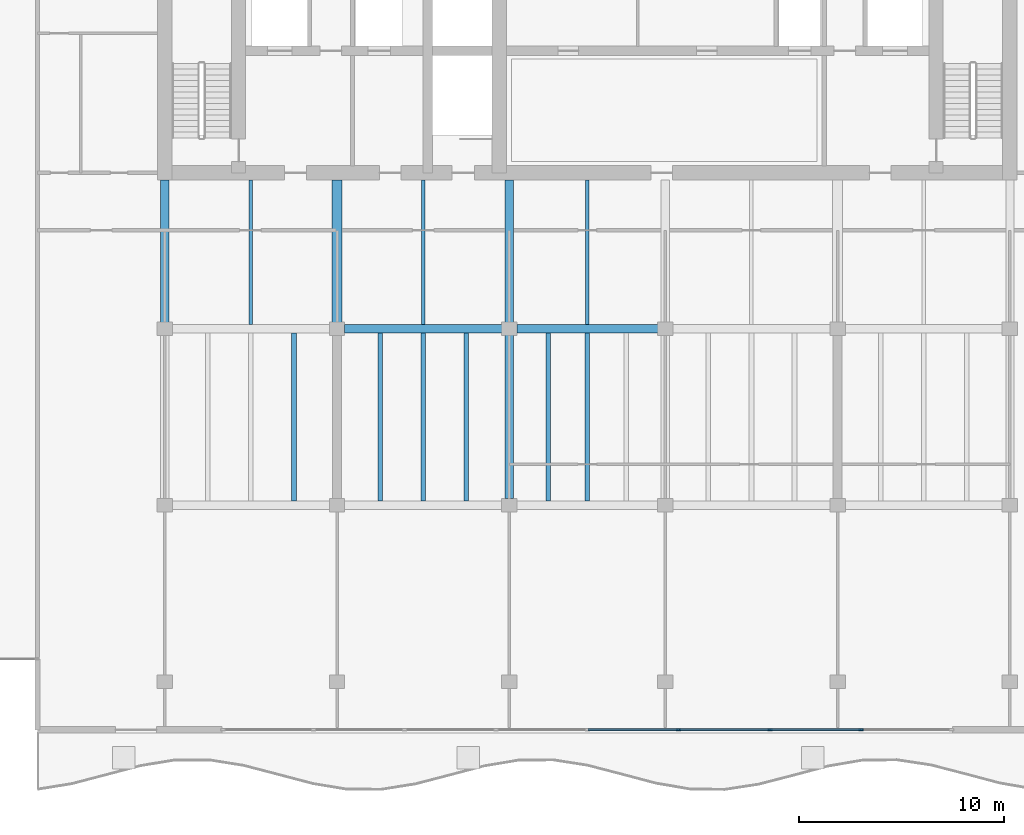
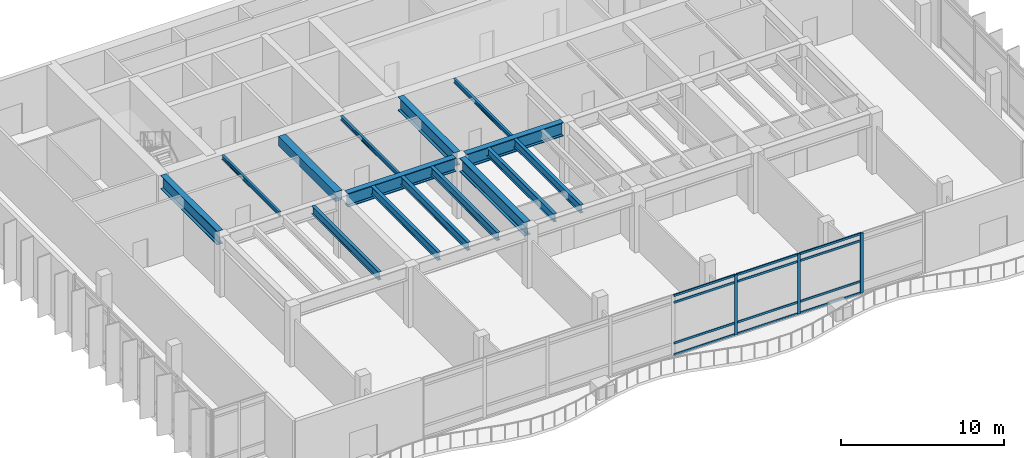
# One storey, part 3 of 14: 15 beams, 15 members, 1 element without a shape of its own.
"""IFC4 building model written with IfcOpenShell, lengths in metres."""

from ifc_helpers import new_model, si_unit, direction, frame, origin, origin_2d, place, context, subcontext, project, spatial, rectangle, i_section, extrude, material, layer, layer_set, material_profile, profile_set, type_object, element, aggregate, save


model = new_model("IFC4")

# Units and contexts
model_context = context("Model", 3, precision=1e-05, world=origin(), true_north=direction((0.0, 1.0)))
body_context = subcontext(model_context, "Body", "Model", "MODEL_VIEW")
ifc_project = project(units=[si_unit("LENGTHUNIT", "METRE"), si_unit("AREAUNIT", "SQUARE_METRE"), si_unit("VOLUMEUNIT", "CUBIC_METRE"), si_unit("PLANEANGLEUNIT", "RADIAN"), si_unit("MASSUNIT", "GRAM", prefix="KILO")], contexts=[model_context])

# Site, building, storey
site_placement = place(None, origin())
site = spatial("IfcSite", under=ifc_project, at=site_placement, CompositionType="ELEMENT")
building_placement = place(site_placement, origin())
building = spatial("IfcBuilding", under=site, at=building_placement, Name="Caelmar Bay Residences", CompositionType="ELEMENT")
storey_placement = place(building_placement, frame((0.0, 0.0, 269.39990234375)))
storey = spatial("IfcBuildingStorey", under=building, at=storey_placement, Name="L76", CompositionType="ELEMENT", Elevation=269.39990234375)

# Beams
ifc_material_1 = material(Name="Steel ASTM A992 Grade 50", Category="steel")
ifc_material_profile_1 = material_profile(ifc_material_1, i_section(OverallWidth=0.404052734375, OverallDepth=1.02099609375, WebThickness=0.025390625, FlangeThickness=0.0458984375, FilletRadius=0.02294921875, at=origin_2d()), Name="W40X324")
ifc_profile_set_1 = profile_set([ifc_material_profile_1], Name="Steel ASTM A992 Grade 50")
beam_type_1 = type_object("IfcBeamType", Name="BM-GRD-W40X324", PredefinedType="BEAM", material=ifc_profile_set_1)
beam_1_placement = place(storey_placement, frame((27.06494140625, 29.39990234375, 3.989501953125), z_axis=(1.0, 0.0, 0.0), x_axis=(0.0, 1.0, 0.0)))
element("IfcBeam", 1, at=beam_1_placement, inside=storey, type_object=beam_type_1, Name="L76 East-West Girder Y=29.40 (26.7-35.1)", PredefinedType="BEAM", context=body_context, shape_type="SweptSolid", body=[
    extrude(i_section(OverallWidth=0.404052734375, OverallDepth=1.02099609375, WebThickness=0.025390625, FlangeThickness=0.0458984375, FilletRadius=0.02294921875, at=origin_2d()), origin(), (0.0, 0.0, 1.0), 7.670166015625),
])
beam_2_placement = place(storey_placement, frame((35.465087890625, 29.39990234375, 3.989501953125), z_axis=(1.0, 0.0, 0.0), x_axis=(0.0, 1.0, 0.0)))
element("IfcBeam", 2, at=beam_2_placement, inside=storey, type_object=beam_type_1, Name="L76 East-West Girder Y=29.40 (35.1-42.7)", PredefinedType="BEAM", context=body_context, shape_type="SweptSolid", body=[
    extrude(i_section(OverallWidth=0.404052734375, OverallDepth=1.02099609375, WebThickness=0.025390625, FlangeThickness=0.0458984375, FilletRadius=0.02294921875, at=origin_2d()), origin(), (0.0, 0.0, 1.0), 6.869873046875),
])
for number, where, z_axis, x_axis, name in (
    (3, (18.300048828125, 29.715087890625, 3.989501953125), (0.0, 1.0, 0.0), (-1.0, 0.0, 0.0), "L76 Core Tie Girder X=18.30"),
    (4, (35.10009765625, 29.715087890625, 3.989501953125), (0.0, 1.0, 0.0), (-1.0, 0.0, 0.0), "L76 Core Tie Girder X=35.10"),
):
    element("IfcBeam", number, at=place(storey_placement, frame(where, z_axis=z_axis, x_axis=x_axis)), inside=storey, type_object=beam_type_1, Name=name, PredefinedType="BEAM", context=body_context, shape_type="SweptSolid", body=[
        extrude(i_section(OverallWidth=0.404052734375, OverallDepth=1.02099609375, WebThickness=0.025390625, FlangeThickness=0.0458984375, FilletRadius=0.02294921875, at=origin_2d()), origin(), (0.0, 0.0, 1.0), 6.934814453125),
    ])
beam_3_placement = place(storey_placement, frame((35.10009765625, 21.114990234375, 3.989501953125), z_axis=(0.0, 1.0, 0.0), x_axis=(-1.0, 0.0, 0.0)))
element("IfcBeam", 5, at=beam_3_placement, inside=storey, type_object=beam_type_1, Name="L76 North-South Girder X=35.10 (20.8-29.4)", PredefinedType="BEAM", context=body_context, shape_type="SweptSolid", body=[
    extrude(i_section(OverallWidth=0.404052734375, OverallDepth=1.02099609375, WebThickness=0.025390625, FlangeThickness=0.0458984375, FilletRadius=0.02294921875, at=origin_2d()), origin(), (0.0, 0.0, 1.0), 7.969970703125),
])
ifc_material_profile_2 = material_profile(ifc_material_1, i_section(OverallWidth=0.1650390625, OverallDepth=0.31005859375, WebThickness=0.005859375, FlangeThickness=0.009765625, FilletRadius=0.007568359375, at=origin_2d()), Name="W12X26")
ifc_profile_set_2 = profile_set([ifc_material_profile_2], Name="Steel ASTM A992 Grade 50")
beam_type_2 = type_object("IfcBeamType", Name="BM-JST-W12X26", PredefinedType="JOIST", material=ifc_profile_set_2)
for number, where, z_axis, x_axis, name in (
    (6, (22.5, 29.60205078125, 4.34521484375), (0.0, 1.0, 0.0), (-1.0, 0.0, 0.0), "L76 Core-Band Composite Joist 16"),
    (7, (30.89990234375, 29.60205078125, 4.34521484375), (0.0, 1.0, 0.0), (-1.0, 0.0, 0.0), "L76 Core-Band Composite Joist 17"),
    (8, (38.89990234375, 29.60205078125, 4.34521484375), (0.0, 1.0, 0.0), (-1.0, 0.0, 0.0), "L76 Core-Band Composite Joist 18"),
):
    element("IfcBeam", number, at=place(storey_placement, frame(where, z_axis=z_axis, x_axis=x_axis)), inside=storey, type_object=beam_type_2, Name=name, PredefinedType="JOIST", context=body_context, shape_type="SweptSolid", body=[
        extrude(i_section(OverallWidth=0.1650390625, OverallDepth=0.31005859375, WebThickness=0.005859375, FlangeThickness=0.009765625, FilletRadius=0.007568359375, at=origin_2d()), origin(), (0.0, 0.0, 1.0), 7.0478515625),
    ])
ifc_material_profile_3 = material_profile(ifc_material_1, i_section(OverallWidth=0.22900390625, OverallDepth=0.612060546875, WebThickness=0.011962890625, FlangeThickness=0.01953125, FilletRadius=0.0126953125, at=origin_2d()), Name="W24X84")
ifc_profile_set_3 = profile_set([ifc_material_profile_3], Name="Steel ASTM A992 Grade 50")
beam_type_3 = type_object("IfcBeamType", Name="BM-JST-W24X84", PredefinedType="JOIST", material=ifc_profile_set_3)
for number, where, z_axis, x_axis, name in (
    (9, (24.60009765625, 21.001953125, 4.194091796875), (0.0, 1.0, 0.0), (-1.0, 0.0, 0.0), "L76 Composite Floor Joist 3"),
    (10, (28.800048828125, 21.001953125, 4.194091796875), (0.0, 1.0, 0.0), (-1.0, 0.0, 0.0), "L76 Composite Floor Joist 4"),
    (11, (30.89990234375, 21.001953125, 4.194091796875), (0.0, 1.0, 0.0), (-1.0, 0.0, 0.0), "L76 Composite Floor Joist 5"),
    (12, (33.0, 21.001953125, 4.194091796875), (0.0, 1.0, 0.0), (-1.0, 0.0, 0.0), "L76 Composite Floor Joist 6"),
    (13, (37.0, 21.001953125, 4.194091796875), (0.0, 1.0, 0.0), (-1.0, 0.0, 0.0), "L76 Composite Floor Joist 7"),
    (14, (38.89990234375, 21.001953125, 4.194091796875), (0.0, 1.0, 0.0), (-1.0, 0.0, 0.0), "L76 Composite Floor Joist 8"),
):
    element("IfcBeam", number, at=place(storey_placement, frame(where, z_axis=z_axis, x_axis=x_axis)), inside=storey, type_object=beam_type_3, Name=name, PredefinedType="JOIST", context=body_context, shape_type="SweptSolid", body=[
        extrude(i_section(OverallWidth=0.22900390625, OverallDepth=0.612060546875, WebThickness=0.011962890625, FlangeThickness=0.01953125, FilletRadius=0.0126953125, at=origin_2d()), origin(), (0.0, 0.0, 1.0), 8.196044921875),
    ])
ifc_material_2 = material(Name="Concrete f'c 55 MPa (8,000 psi)", Category="concrete")
ifc_material_profile_4 = material_profile(ifc_material_2, rectangle(XDim=0.5, YDim=0.699951171875, at=origin_2d()), Name="RC-BM-500X700")
ifc_profile_set_4 = profile_set([ifc_material_profile_4], Name="Concrete f'c 55 MPa (8,000 psi)")
beam_type_4 = type_object("IfcBeamType", Name="BM-RC-500X700", PredefinedType="LINTEL", material=ifc_profile_set_4)
beam_4_placement = place(storey_placement, frame((26.699951171875, 29.715087890625, 4.150146484375), z_axis=(0.0, 1.0, 0.0), x_axis=(-1.0, 0.0, 0.0)))
element("IfcBeam", 15, at=beam_4_placement, inside=storey, type_object=beam_type_4, Name="L76 Shear-Wall Corridor Coupling Lintel W5", PredefinedType="LINTEL", context=body_context, shape_type="SweptSolid", body=[
    extrude(rectangle(XDim=0.5, YDim=0.699951171875, at=origin_2d()), origin(), (0.0, 0.0, 1.0), 6.934814453125),
])

# Curtain wall, members
ifc_material_3 = material(Name="Anodised bronze aluminium 6063-T6 and laminated glass", Category="aluminium")
ifc_layer = layer(ifc_material_3, 0.179931640625)
ifc_layer_set = layer_set([ifc_layer], Name="Anodised bronze aluminium 6063-T6 and laminated glass")
curtain_wall_type = type_object("IfcCurtainWallType", Name="CW7-CRN", PredefinedType="NOTDEFINED", material=ifc_layer_set)
curtain_wall_placement = place(storey_placement, origin())
curtain_wall = element("IfcCurtainWall", 16, at=curtain_wall_placement, inside=storey, type_object=curtain_wall_type, Name="CW7 curtain wall L76", PredefinedType="NOTDEFINED")
ifc_material_4 = material(Name="Anodised bronze aluminium 6063-T6", Category="aluminium")
ifc_material_profile_5 = material_profile(ifc_material_4, rectangle(XDim=0.080078125, YDim=0.219970703125, at=origin_2d()), Name="CWM-80X220")
ifc_profile_set_5 = profile_set([ifc_material_profile_5], Name="Anodised bronze aluminium 6063-T6")
member_type_1 = type_object("IfcMemberType", Name="CWM-220", PredefinedType="MULLION", material=ifc_profile_set_5)
member_1_placement = place(storey_placement, frame((52.25, 9.85009765625, 0.0), z_axis=(0.0, 0.0, 1.0), x_axis=(0.0, -1.0, 0.0)))
member_1 = element("IfcMember", 17, at=member_1_placement, type_object=member_type_1, Name="CW7 mullion 2", PredefinedType="MULLION", context=body_context, shape_type="SweptSolid", body=[
    extrude(rectangle(XDim=0.080078125, YDim=0.219970703125, at=origin_2d()), origin(), (0.0, 0.0, 1.0), 4.5),
])
member_2_placement = place(storey_placement, frame((47.800048828125, 9.85009765625, 0.0), z_axis=(0.0, 0.0, 1.0), x_axis=(0.0, -1.0, 0.0)))
member_2 = element("IfcMember", 18, at=member_2_placement, type_object=member_type_1, Name="CW7 mullion 3", PredefinedType="MULLION", context=body_context, shape_type="SweptSolid", body=[
    extrude(rectangle(XDim=0.080078125, YDim=0.219970703125, at=origin_2d()), origin(), (0.0, 0.0, 1.0), 4.5),
])
member_3_placement = place(storey_placement, frame((43.35009765625, 9.85009765625, 0.0), z_axis=(0.0, 0.0, 1.0), x_axis=(0.0, -1.0, 0.0)))
member_3 = element("IfcMember", 19, at=member_3_placement, type_object=member_type_1, Name="CW7 mullion 4", PredefinedType="MULLION", context=body_context, shape_type="SweptSolid", body=[
    extrude(rectangle(XDim=0.080078125, YDim=0.219970703125, at=origin_2d()), origin(), (0.0, 0.0, 1.0), 4.5),
])
ifc_material_profile_6 = material_profile(ifc_material_4, rectangle(XDim=0.080078125, YDim=0.159912109375, at=origin_2d()), Name="CWT-80X160")
ifc_profile_set_6 = profile_set([ifc_material_profile_6], Name="Anodised bronze aluminium 6063-T6")
member_type_2 = type_object("IfcMemberType", Name="CWT-160", PredefinedType="NOTDEFINED", material=ifc_profile_set_6)
member_4_placement = place(storey_placement, frame((52.2099609375, 9.85009765625, 0.0400390625), z_axis=(-1.0, 0.0, 0.0), x_axis=(0.0, -1.0, 0.0)))
member_4 = element("IfcMember", 20, at=member_4_placement, type_object=member_type_2, Name="CW7 transom 2.1", ObjectType="TRANSOM", PredefinedType="USERDEFINED", context=body_context, shape_type="SweptSolid", body=[
    extrude(rectangle(XDim=0.080078125, YDim=0.159912109375, at=origin_2d()), origin(), (0.0, 0.0, 1.0), 4.369873046875),
])
member_5_placement = place(storey_placement, frame((52.2099609375, 9.85009765625, 0.900146484375), z_axis=(-1.0, 0.0, 0.0), x_axis=(0.0, -1.0, 0.0)))
member_5 = element("IfcMember", 21, at=member_5_placement, type_object=member_type_2, Name="CW7 transom 2.2", ObjectType="TRANSOM", PredefinedType="USERDEFINED", context=body_context, shape_type="SweptSolid", body=[
    extrude(rectangle(XDim=0.080078125, YDim=0.159912109375, at=origin_2d()), origin(), (0.0, 0.0, 1.0), 4.369873046875),
])
member_6_placement = place(storey_placement, frame((52.2099609375, 9.85009765625, 3.9501953125), z_axis=(-1.0, 0.0, 0.0), x_axis=(0.0, -1.0, 0.0)))
member_6 = element("IfcMember", 22, at=member_6_placement, type_object=member_type_2, Name="CW7 transom 2.3", ObjectType="TRANSOM", PredefinedType="USERDEFINED", context=body_context, shape_type="SweptSolid", body=[
    extrude(rectangle(XDim=0.080078125, YDim=0.159912109375, at=origin_2d()), origin(), (0.0, 0.0, 1.0), 4.369873046875),
])
member_7_placement = place(storey_placement, frame((52.2099609375, 9.85009765625, 4.460205078125), z_axis=(-1.0, 0.0, 0.0), x_axis=(0.0, -1.0, 0.0)))
member_7 = element("IfcMember", 23, at=member_7_placement, type_object=member_type_2, Name="CW7 transom 2.4", ObjectType="TRANSOM", PredefinedType="USERDEFINED", context=body_context, shape_type="SweptSolid", body=[
    extrude(rectangle(XDim=0.080078125, YDim=0.159912109375, at=origin_2d()), origin(), (0.0, 0.0, 1.0), 4.369873046875),
])
member_8_placement = place(storey_placement, frame((47.760009765625, 9.85009765625, 0.0400390625), z_axis=(-1.0, 0.0, 0.0), x_axis=(0.0, -1.0, 0.0)))
member_8 = element("IfcMember", 24, at=member_8_placement, type_object=member_type_2, Name="CW7 transom 3.1", ObjectType="TRANSOM", PredefinedType="USERDEFINED", context=body_context, shape_type="SweptSolid", body=[
    extrude(rectangle(XDim=0.080078125, YDim=0.159912109375, at=origin_2d()), origin(), (0.0, 0.0, 1.0), 4.3701171875),
])
member_9_placement = place(storey_placement, frame((47.760009765625, 9.85009765625, 0.900146484375), z_axis=(-1.0, 0.0, 0.0), x_axis=(0.0, -1.0, 0.0)))
member_9 = element("IfcMember", 25, at=member_9_placement, type_object=member_type_2, Name="CW7 transom 3.2", ObjectType="TRANSOM", PredefinedType="USERDEFINED", context=body_context, shape_type="SweptSolid", body=[
    extrude(rectangle(XDim=0.080078125, YDim=0.159912109375, at=origin_2d()), origin(), (0.0, 0.0, 1.0), 4.3701171875),
])
member_10_placement = place(storey_placement, frame((47.760009765625, 9.85009765625, 3.9501953125), z_axis=(-1.0, 0.0, 0.0), x_axis=(0.0, -1.0, 0.0)))
member_10 = element("IfcMember", 26, at=member_10_placement, type_object=member_type_2, Name="CW7 transom 3.3", ObjectType="TRANSOM", PredefinedType="USERDEFINED", context=body_context, shape_type="SweptSolid", body=[
    extrude(rectangle(XDim=0.080078125, YDim=0.159912109375, at=origin_2d()), origin(), (0.0, 0.0, 1.0), 4.3701171875),
])
member_11_placement = place(storey_placement, frame((47.760009765625, 9.85009765625, 4.460205078125), z_axis=(-1.0, 0.0, 0.0), x_axis=(0.0, -1.0, 0.0)))
member_11 = element("IfcMember", 27, at=member_11_placement, type_object=member_type_2, Name="CW7 transom 3.4", ObjectType="TRANSOM", PredefinedType="USERDEFINED", context=body_context, shape_type="SweptSolid", body=[
    extrude(rectangle(XDim=0.080078125, YDim=0.159912109375, at=origin_2d()), origin(), (0.0, 0.0, 1.0), 4.3701171875),
])
member_12_placement = place(storey_placement, frame((43.31005859375, 9.85009765625, 0.0400390625), z_axis=(-1.0, 0.0, 0.0), x_axis=(0.0, -1.0, 0.0)))
member_12 = element("IfcMember", 28, at=member_12_placement, type_object=member_type_2, Name="CW7 transom 4.1", ObjectType="TRANSOM", PredefinedType="USERDEFINED", context=body_context, shape_type="SweptSolid", body=[
    extrude(rectangle(XDim=0.080078125, YDim=0.159912109375, at=origin_2d()), origin(), (0.0, 0.0, 1.0), 4.3701171875),
])
member_13_placement = place(storey_placement, frame((43.31005859375, 9.85009765625, 0.900146484375), z_axis=(-1.0, 0.0, 0.0), x_axis=(0.0, -1.0, 0.0)))
member_13 = element("IfcMember", 29, at=member_13_placement, type_object=member_type_2, Name="CW7 transom 4.2", ObjectType="TRANSOM", PredefinedType="USERDEFINED", context=body_context, shape_type="SweptSolid", body=[
    extrude(rectangle(XDim=0.080078125, YDim=0.159912109375, at=origin_2d()), origin(), (0.0, 0.0, 1.0), 4.3701171875),
])
member_14_placement = place(storey_placement, frame((43.31005859375, 9.85009765625, 3.9501953125), z_axis=(-1.0, 0.0, 0.0), x_axis=(0.0, -1.0, 0.0)))
member_14 = element("IfcMember", 30, at=member_14_placement, type_object=member_type_2, Name="CW7 transom 4.3", ObjectType="TRANSOM", PredefinedType="USERDEFINED", context=body_context, shape_type="SweptSolid", body=[
    extrude(rectangle(XDim=0.080078125, YDim=0.159912109375, at=origin_2d()), origin(), (0.0, 0.0, 1.0), 4.3701171875),
])
member_15_placement = place(storey_placement, frame((43.31005859375, 9.85009765625, 4.460205078125), z_axis=(-1.0, 0.0, 0.0), x_axis=(0.0, -1.0, 0.0)))
member_15 = element("IfcMember", 31, at=member_15_placement, type_object=member_type_2, Name="CW7 transom 4.4", ObjectType="TRANSOM", PredefinedType="USERDEFINED", context=body_context, shape_type="SweptSolid", body=[
    extrude(rectangle(XDim=0.080078125, YDim=0.159912109375, at=origin_2d()), origin(), (0.0, 0.0, 1.0), 4.3701171875),
])
aggregate(curtain_wall, [member_1, member_2, member_3, member_4, member_5, member_6, member_7, member_8, member_9, member_10, member_11, member_12, member_13, member_14, member_15])

save(model, "model.ifc")
